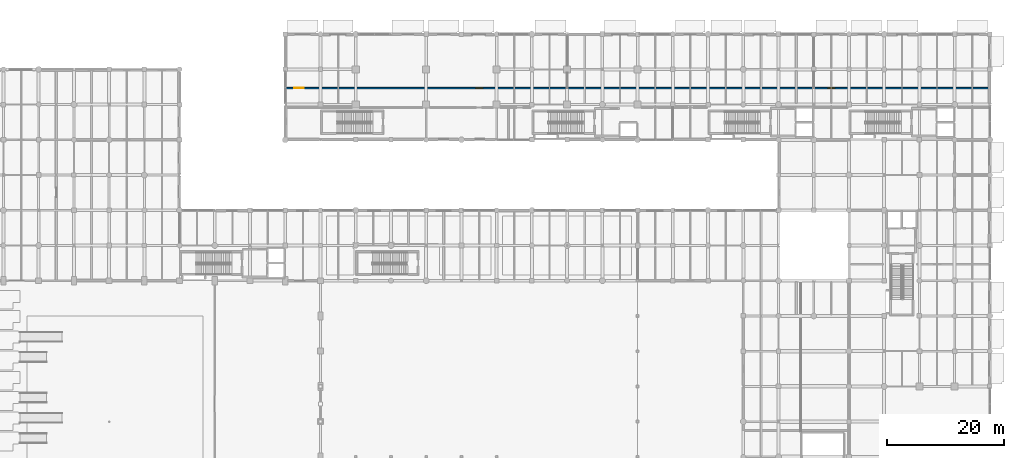
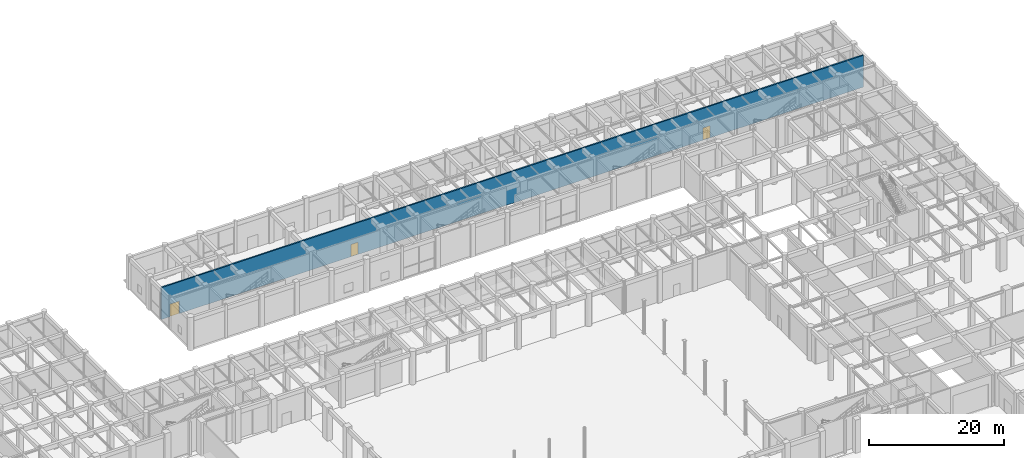
# One storey, part 85 of 106: 3 doors, 1 wall, 3 openings.
"""IFC4 building model written with IfcOpenShell, lengths in metres."""

from ifc_helpers import new_model, si_unit, direction, frame, frame_2d, origin, place, context, subcontext, project, spatial, rectangle, extrude, material, layer, layer_set, type_object, element, fill, save


model = new_model("IFC4")

# Units and contexts
model_context = context("Model", 3, precision=1e-05, world=origin(), true_north=direction((0.0, 1.0)))
body_context = subcontext(model_context, "Body", "Model", "MODEL_VIEW")
ifc_project = project(units=[si_unit("LENGTHUNIT", "METRE"), si_unit("AREAUNIT", "SQUARE_METRE"), si_unit("VOLUMEUNIT", "CUBIC_METRE"), si_unit("PLANEANGLEUNIT", "RADIAN"), si_unit("MASSUNIT", "GRAM", prefix="KILO"), si_unit("THERMODYNAMICTEMPERATUREUNIT", "KELVIN"), si_unit("POWERUNIT", "WATT")], contexts=[model_context])

# Site, building, storey
site_placement = place(None, origin())
site = spatial("IfcSite", under=ifc_project, at=site_placement, CompositionType="ELEMENT")
building_placement = place(site_placement, origin())
building = spatial("IfcBuilding", under=site, at=building_placement, Name="Phaisarnlok Congress Hotel", CompositionType="ELEMENT")
storey_placement = place(building_placement, origin())
storey = spatial("IfcBuildingStorey", under=building, at=storey_placement, Name="L00", CompositionType="ELEMENT", Elevation=0.0)

# Wall, openings, doors
ifc_material_1 = material(Name="Concrete C40/50", Category="concrete")
ifc_layer = layer(ifc_material_1, 0.239990234375, Name="Concrete C40/50")
ifc_layer_set = layer_set([ifc_layer], Name="Concrete C40/50")
wall_type = type_object("IfcWallType", Name="WL-INT-240", PredefinedType="PARTITIONING", material=ifc_layer_set)
wall_placement = place(storey_placement, frame((60.044921875, 116.800048828125, 0.0), z_axis=(0.0, 0.0, 1.0), x_axis=(1.0, 0.0, 0.0)))
wall = element("IfcWall", 1, at=wall_placement, inside=storey, type_object=wall_type, Name="Interior partition wall IW-01 (L00)", PredefinedType="PARTITIONING", context=body_context, shape_type="SweptSolid", body=[
    extrude(rectangle(XDim=119.7001953125, YDim=0.239990234375, at=frame_2d((59.85009765625, 0.0))), origin(), (0.0, 0.0, 1.0), 5.739990234375),
])
opening_1_placement = place(wall_placement, frame((32.35498046875, 0.0, 0.0)))
opening_1 = element("IfcOpeningElement", 2, at=opening_1_placement, cuts=wall, Name="Opening D-0025", PredefinedType="OPENING", context=body_context, shape_type="SweptSolid", body=[
    extrude(rectangle(XDim=1.199951171875, YDim=2.199951171875, at=frame_2d((0.60009765625, 1.10009765625))), frame((0.0, 0.1298828125, 0.0), z_axis=(0.0, -1.0, 0.0), x_axis=(1.0, 0.0, 0.0)), (0.0, 0.0, 1.0), 0.260009765625),
])
opening_2_placement = place(wall_placement, frame((92.35498046875, 0.0, 0.0)))
opening_2 = element("IfcOpeningElement", 3, at=opening_2_placement, cuts=wall, Name="Opening D-0026", PredefinedType="OPENING", context=body_context, shape_type="SweptSolid", body=[
    extrude(rectangle(XDim=1.199951171875, YDim=2.199951171875, at=frame_2d((0.60009765625, 1.10009765625))), frame((0.0, 0.1298828125, 0.0), z_axis=(0.0, -1.0, 0.0), x_axis=(1.0, 0.0, 0.0)), (0.0, 0.0, 1.0), 0.260009765625),
])
opening_3_placement = place(wall_placement, frame((1.47509765625, 0.0, 0.0)))
opening_3 = element("IfcOpeningElement", 4, at=opening_3_placement, cuts=wall, Name="Opening D-0054", PredefinedType="OPENING", context=body_context, shape_type="SweptSolid", body=[
    extrude(rectangle(XDim=1.60009765625, YDim=2.25, at=frame_2d((0.800048828125, 1.125))), frame((0.0, 0.1298828125, 0.0), z_axis=(0.0, -1.0, 0.0), x_axis=(1.0, 0.0, 0.0)), (0.0, 0.0, 1.0), 0.260009765625),
])
ifc_material_2 = material(Name="Fire-Rated Steel Frame & Timber Leaf", Category="steel")
door_type_1 = type_object("IfcDoorType", Name="DR-FD60-1200", OperationType="NOTDEFINED", PredefinedType="DOOR", material=ifc_material_2)
door_1_placement = place(opening_1_placement, origin())
door_1 = element("IfcDoor", 5, at=door_1_placement, inside=storey, type_object=door_type_1, Name="Interior door D-0025 (L00)", OperationType="SINGLE_SWING_RIGHT", OverallHeight=2.199951171875, OverallWidth=1.199951171875, PredefinedType="DOOR", context=body_context, shape_type="SweptSolid", body=[
    extrude(rectangle(XDim=1.199951171875, YDim=2.199951171875, at=frame_2d((0.60009765625, 1.10009765625))), frame((0.0, 0.02490234375, 0.0), z_axis=(0.0, -1.0, 0.0), x_axis=(1.0, 0.0, 0.0)), (0.0, 0.0, 1.0), 0.050048828125),
])
fill(opening_1, door_1)
door_2_placement = place(opening_2_placement, origin())
door_2 = element("IfcDoor", 6, at=door_2_placement, inside=storey, type_object=door_type_1, Name="Interior door D-0026 (L00)", OperationType="SINGLE_SWING_LEFT", OverallHeight=2.199951171875, OverallWidth=1.199951171875, PredefinedType="DOOR", context=body_context, shape_type="SweptSolid", body=[
    extrude(rectangle(XDim=1.199951171875, YDim=2.199951171875, at=frame_2d((0.60009765625, 1.10009765625))), frame((0.0, 0.02490234375, 0.0), z_axis=(0.0, -1.0, 0.0), x_axis=(1.0, 0.0, 0.0)), (0.0, 0.0, 1.0), 0.050048828125),
])
fill(opening_2, door_2)
ifc_material_3 = material(Name="Frameless Tempered Acoustic Glass", Category="glass")
door_type_2 = type_object("IfcDoorType", Name="DR-GLZ-1600", OperationType="DOUBLE_DOOR_SINGLE_SWING", PredefinedType="DOOR", material=ifc_material_3)
door_3_placement = place(opening_3_placement, origin())
door_3 = element("IfcDoor", 7, at=door_3_placement, inside=storey, type_object=door_type_2, Name="Interior door D-0054 (L00)", OperationType="DOUBLE_DOOR_SINGLE_SWING", OverallHeight=2.25, OverallWidth=1.60009765625, PredefinedType="DOOR", context=body_context, shape_type="SweptSolid", body=[
    extrude(rectangle(XDim=1.60009765625, YDim=2.25, at=frame_2d((0.800048828125, 1.125))), frame((0.0, 0.02490234375, 0.0), z_axis=(0.0, -1.0, 0.0), x_axis=(1.0, 0.0, 0.0)), (0.0, 0.0, 1.0), 0.050048828125),
])
fill(opening_3, door_3)

save(model, "model.ifc")
